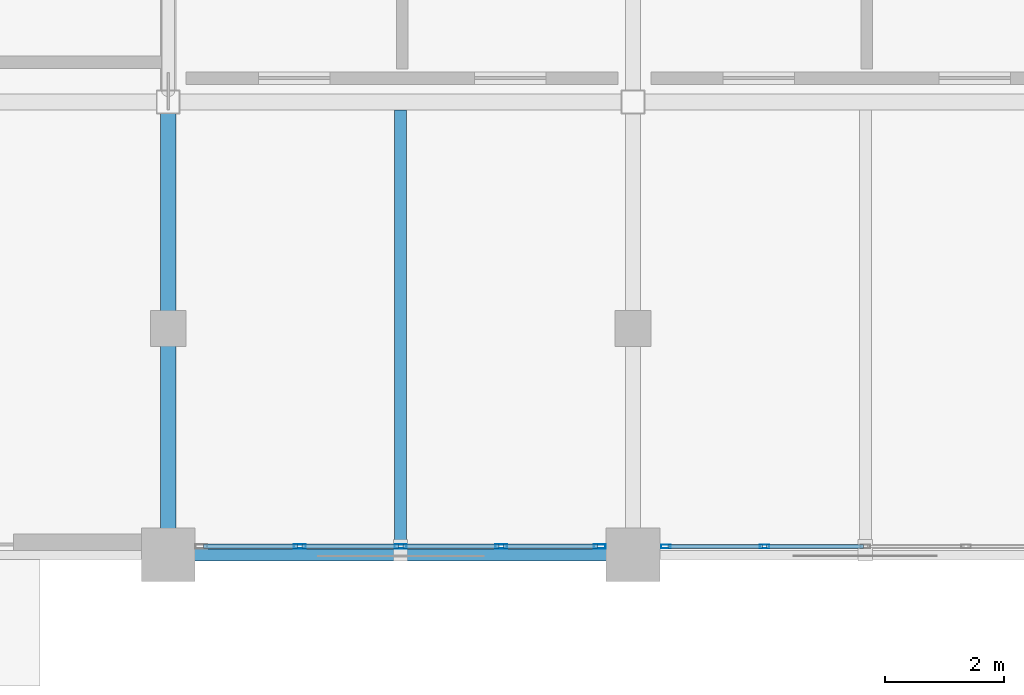
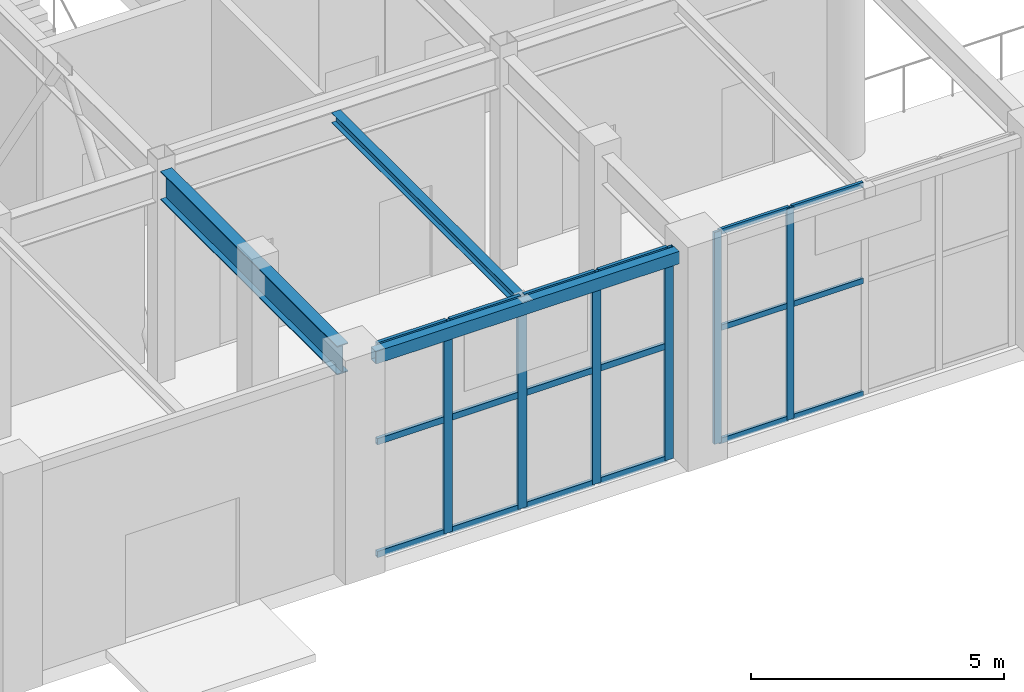
# One storey, part 94 of 139: 24 members, 3 beams, 2 elements without a shape of their own.
"""IFC4 building model written with IfcOpenShell, lengths in metres."""

from ifc_helpers import new_model, si_unit, direction, frame, origin, origin_2d, place, context, subcontext, project, spatial, hollow_rectangle, i_section, extrude, material, layer, layer_set, material_profile, profile_set, type_object, element, aggregate, save


model = new_model("IFC4")

# Units and contexts
model_context = context("Model", 3, precision=1e-05, world=origin(), true_north=direction((0.0, 1.0)))
body_context = subcontext(model_context, "Body", "Model", "MODEL_VIEW")
ifc_project = project(units=[si_unit("LENGTHUNIT", "METRE"), si_unit("AREAUNIT", "SQUARE_METRE"), si_unit("VOLUMEUNIT", "CUBIC_METRE"), si_unit("PLANEANGLEUNIT", "RADIAN"), si_unit("MASSUNIT", "GRAM", prefix="KILO")], contexts=[model_context])

# Site, building, storey
site_placement = place(None, origin())
site = spatial("IfcSite", under=ifc_project, at=site_placement, CompositionType="ELEMENT")
building_placement = place(site_placement, origin())
building = spatial("IfcBuilding", under=site, at=building_placement, Name="Xicomal Pleat Aquarium", CompositionType="ELEMENT")
storey_placement = place(building_placement, origin())
storey = spatial("IfcBuildingStorey", under=building, at=storey_placement, Name="L01", CompositionType="ELEMENT", Elevation=0.0)

# Beams
ifc_material_1 = material(Name="Structural steel A992 Gr 50", Category="steel")
ifc_material_profile_1 = material_profile(ifc_material_1, i_section(OverallWidth=0.201904296875, OverallDepth=0.2470703125, WebThickness=0.00732421875, FlangeThickness=0.010986328125, at=origin_2d()), Name="IR 250x49")
ifc_profile_set_1 = profile_set([ifc_material_profile_1], Name="Structural steel A992 Gr 50")
beam_type_1 = type_object("IfcBeamType", Name="BM-STL-IR250", PredefinedType="JOIST", material=ifc_profile_set_1)
beam_1_placement = place(storey_placement, frame((145.5, 76.10302734375, 4.9765625), z_axis=(0.0, 1.0, 0.0), x_axis=(-1.0, 0.0, 0.0)))
element("IfcBeam", 1, at=beam_1_placement, inside=storey, type_object=beam_type_1, Name="L01 framing beam FBJ-L01-18-L-1", PredefinedType="JOIST", context=body_context, shape_type="SweptSolid", body=[
    extrude(i_section(OverallWidth=0.201904296875, OverallDepth=0.2470703125, WebThickness=0.00732421875, FlangeThickness=0.010986328125, at=origin_2d()), origin(), (0.0, 0.0, 1.0), 7.35986328125),
])
ifc_material_2 = material(Name="Structural steel A992 Gr 50", Category="steel")
ifc_material_profile_2 = material_profile(ifc_material_2, i_section(OverallWidth=0.256103515625, OverallDepth=0.693115234375, WebThickness=0.014404296875, FlangeThickness=0.023681640625, at=origin_2d()), Name="IR 690x170")
ifc_profile_set_2 = profile_set([ifc_material_profile_2], Name="Structural steel A992 Gr 50")
beam_type_2 = type_object("IfcBeamType", Name="BM-STL-IR690", PredefinedType="BEAM", material=ifc_profile_set_2)
beam_2_placement = place(storey_placement, frame((141.60009765625, 76.445068359375, 4.75341796875), z_axis=(0.0, 1.0, 0.0), x_axis=(-1.0, 0.0, 0.0)))
element("IfcBeam", 2, at=beam_2_placement, inside=storey, type_object=beam_type_2, Name="L01 framing beam FGY-L01-18-L-M", PredefinedType="BEAM", context=body_context, shape_type="SweptSolid", body=[
    extrude(i_section(OverallWidth=0.256103515625, OverallDepth=0.693115234375, WebThickness=0.014404296875, FlangeThickness=0.023681640625, at=origin_2d()), origin(), (0.0, 0.0, 1.0), 6.9599609375),
])
ifc_material_3 = material(Name="Structural steel A500 Gr C", Category="steel")
ifc_material_profile_3 = material_profile(ifc_material_3, hollow_rectangle(XDim=0.199951171875, YDim=0.300048828125, WallThickness=0.011962890625, at=origin_2d()), Name="OR 300x200x12")
ifc_profile_set_3 = profile_set([ifc_material_profile_3], Name="Structural steel A500 Gr C")
beam_type_3 = type_object("IfcBeamType", Name="BM-STL-OR300", PredefinedType="SPANDREL", material=ifc_profile_set_3)
beam_3_placement = place(storey_placement, frame((142.044921875, 76.0, 4.949951171875), z_axis=(1.0, 0.0, 0.0), x_axis=(0.0, 1.0, 0.0)))
element("IfcBeam", 3, at=beam_3_placement, inside=storey, type_object=beam_type_3, Name="L01 framing beam FGX-L01-18-19-L", PredefinedType="SPANDREL", context=body_context, shape_type="SweptSolid", body=[
    extrude(hollow_rectangle(XDim=0.199951171875, YDim=0.300048828125, WallThickness=0.011962890625, at=origin_2d()), origin(), (0.0, 0.0, 1.0), 6.91015625),
])

# Curtain wall, members
ifc_material_4 = material(Name="Bronze anodized aluminium 6063-T6", Category="aluminium")
ifc_layer_1 = layer(ifc_material_4, 0.159912109375)
ifc_layer_set_1 = layer_set([ifc_layer_1], Name="Bronze anodized aluminium 6063-T6")
curtain_wall_type_1 = type_object("IfcCurtainWallType", Name="CW-SYS-01", PredefinedType="NOTDEFINED", material=ifc_layer_set_1)
curtain_wall_1_placement = place(storey_placement, origin())
curtain_wall_1 = element("IfcCurtainWall", 4, at=curtain_wall_1_placement, inside=storey, type_object=curtain_wall_type_1, Name="L01 unitised curtain wall CW-L01-066", PredefinedType="NOTDEFINED")
ifc_material_5 = material(Name="Bronze anodized aluminium 6063-T6", Category="aluminium")
ifc_material_profile_4 = material_profile(ifc_material_5, hollow_rectangle(XDim=0.06494140625, YDim=0.159912109375, WallThickness=0.00390625, at=origin_2d()), Name="ALU MULL 65x160")
ifc_profile_set_4 = profile_set([ifc_material_profile_4], Name="Bronze anodized aluminium 6063-T6")
member_type_1 = type_object("IfcMemberType", Name="CWM-65x160", PredefinedType="MULLION", material=ifc_profile_set_4)
member_1_placement = place(storey_placement, frame((151.610107421875, 76.139892578125, 0.0), z_axis=(0.0, 0.0, 1.0), x_axis=(0.0, -1.0, 0.0)))
member_1 = element("IfcMember", 5, at=member_1_placement, type_object=member_type_1, Name="CW-01 mullion 4", PredefinedType="MULLION", context=body_context, shape_type="SweptSolid", body=[
    extrude(hollow_rectangle(XDim=0.06494140625, YDim=0.159912109375, WallThickness=0.00390625, at=origin_2d()), origin(), (0.0, 0.0, 1.0), 5.10009765625),
])
member_2_placement = place(storey_placement, frame((149.952392578125, 76.139892578125, 0.0), z_axis=(0.0, 0.0, 1.0), x_axis=(0.0, -1.0, 0.0)))
member_2 = element("IfcMember", 6, at=member_2_placement, type_object=member_type_1, Name="CW-01 mullion 5", PredefinedType="MULLION", context=body_context, shape_type="SweptSolid", body=[
    extrude(hollow_rectangle(XDim=0.06494140625, YDim=0.159912109375, WallThickness=0.00390625, at=origin_2d()), origin(), (0.0, 0.0, 1.0), 5.10009765625),
])

ifc_material_6 = material(Name="Bronze anodized aluminium 6063-T6", Category="aluminium")
ifc_layer_2 = layer(ifc_material_6, 0.159912109375)
ifc_layer_set_2 = layer_set([ifc_layer_2], Name="Bronze anodized aluminium 6063-T6")
curtain_wall_type_2 = type_object("IfcCurtainWallType", Name="CW-SYS-06", PredefinedType="NOTDEFINED", material=ifc_layer_set_2)
curtain_wall_2_placement = place(storey_placement, origin())
curtain_wall_2 = element("IfcCurtainWall", 7, at=curtain_wall_2_placement, inside=storey, type_object=curtain_wall_type_2, Name="L01 unitised curtain wall CW-L01-067", PredefinedType="NOTDEFINED")
ifc_material_7 = material(Name="Bronze anodized aluminium 6063-T6", Category="aluminium")
ifc_material_profile_5 = material_profile(ifc_material_7, hollow_rectangle(XDim=0.074951171875, YDim=0.199951171875, WallThickness=0.00439453125, at=origin_2d()), Name="ALU MULL 75x200")
ifc_profile_set_5 = profile_set([ifc_material_profile_5], Name="Bronze anodized aluminium 6063-T6")
member_type_2 = type_object("IfcMemberType", Name="CWM-75x200", PredefinedType="MULLION", material=ifc_profile_set_5)
member_3_placement = place(storey_placement, frame((148.842529296875, 76.139892578125, 0.0), z_axis=(0.0, 0.0, 1.0), x_axis=(0.0, -1.0, 0.0)))
member_3 = element("IfcMember", 8, at=member_3_placement, type_object=member_type_2, Name="CW-06 mullion 1", PredefinedType="MULLION", context=body_context, shape_type="SweptSolid", body=[
    extrude(hollow_rectangle(XDim=0.074951171875, YDim=0.199951171875, WallThickness=0.00439453125, at=origin_2d()), origin(), (0.0, 0.0, 1.0), 5.10009765625),
])
member_4_placement = place(storey_placement, frame((147.18994140625, 76.139892578125, 0.0), z_axis=(0.0, 0.0, 1.0), x_axis=(0.0, -1.0, 0.0)))
member_4 = element("IfcMember", 9, at=member_4_placement, type_object=member_type_2, Name="CW-06 mullion 2", PredefinedType="MULLION", context=body_context, shape_type="SweptSolid", body=[
    extrude(hollow_rectangle(XDim=0.074951171875, YDim=0.199951171875, WallThickness=0.00439453125, at=origin_2d()), origin(), (0.0, 0.0, 1.0), 5.10009765625),
])
member_5_placement = place(storey_placement, frame((145.5, 76.139892578125, 0.0), z_axis=(0.0, 0.0, 1.0), x_axis=(0.0, -1.0, 0.0)))
member_5 = element("IfcMember", 10, at=member_5_placement, type_object=member_type_2, Name="CW-06 mullion 3", PredefinedType="MULLION", context=body_context, shape_type="SweptSolid", body=[
    extrude(hollow_rectangle(XDim=0.074951171875, YDim=0.199951171875, WallThickness=0.00439453125, at=origin_2d()), origin(), (0.0, 0.0, 1.0), 5.10009765625),
])
member_6_placement = place(storey_placement, frame((143.81005859375, 76.139892578125, 0.0), z_axis=(0.0, 0.0, 1.0), x_axis=(0.0, -1.0, 0.0)))
member_6 = element("IfcMember", 11, at=member_6_placement, type_object=member_type_2, Name="CW-06 mullion 4", PredefinedType="MULLION", context=body_context, shape_type="SweptSolid", body=[
    extrude(hollow_rectangle(XDim=0.074951171875, YDim=0.199951171875, WallThickness=0.00439453125, at=origin_2d()), origin(), (0.0, 0.0, 1.0), 5.10009765625),
])

# Member
ifc_material_8 = material(Name="Bronze anodized aluminium 6063-T6", Category="aluminium")
ifc_material_profile_6 = material_profile(ifc_material_8, hollow_rectangle(XDim=0.06494140625, YDim=0.1298828125, WallThickness=0.00390625, at=origin_2d()), Name="ALU TRAN 65x130")
ifc_profile_set_6 = profile_set([ifc_material_profile_6], Name="Bronze anodized aluminium 6063-T6")
member_type_3 = type_object("IfcMemberType", Name="CWT-65x130", PredefinedType="USERDEFINED", material=ifc_profile_set_6)
member_7_placement = place(storey_placement, frame((153.267578125, 76.139892578125, 0.032470703125), z_axis=(-1.0, 0.0, 0.0), x_axis=(0.0, -1.0, 0.0)))
member_7 = element("IfcMember", 12, at=member_7_placement, type_object=member_type_3, Name="CW-01 transom 3.1", ObjectType="TRANSOM", PredefinedType="USERDEFINED", context=body_context, shape_type="SweptSolid", body=[
    extrude(hollow_rectangle(XDim=0.06494140625, YDim=0.1298828125, WallThickness=0.00390625, at=origin_2d()), origin(), (0.0, 0.0, 1.0), 1.625),
])

member_8_placement = place(storey_placement, frame((153.267578125, 76.139892578125, 2.75390625), z_axis=(-1.0, 0.0, 0.0), x_axis=(0.0, -1.0, 0.0)))
member_8 = element("IfcMember", 13, at=member_8_placement, type_object=member_type_3, Name="CW-01 transom 3.2", ObjectType="TRANSOM", PredefinedType="USERDEFINED", context=body_context, shape_type="SweptSolid", body=[
    extrude(hollow_rectangle(XDim=0.06494140625, YDim=0.1298828125, WallThickness=0.00390625, at=origin_2d()), origin(), (0.0, 0.0, 1.0), 1.625),
])

member_9_placement = place(storey_placement, frame((153.267578125, 76.139892578125, 5.0673828125), z_axis=(-1.0, 0.0, 0.0), x_axis=(0.0, -1.0, 0.0)))
member_9 = element("IfcMember", 14, at=member_9_placement, type_object=member_type_3, Name="CW-01 transom 3.3", ObjectType="TRANSOM", PredefinedType="USERDEFINED", context=body_context, shape_type="SweptSolid", body=[
    extrude(hollow_rectangle(XDim=0.06494140625, YDim=0.1298828125, WallThickness=0.00390625, at=origin_2d()), origin(), (0.0, 0.0, 1.0), 1.625),
])

member_10_placement = place(storey_placement, frame((151.577392578125, 76.139892578125, 0.032470703125), z_axis=(-1.0, 0.0, 0.0), x_axis=(0.0, -1.0, 0.0)))
member_10 = element("IfcMember", 15, at=member_10_placement, type_object=member_type_3, Name="CW-01 transom 4.1", ObjectType="TRANSOM", PredefinedType="USERDEFINED", context=body_context, shape_type="SweptSolid", body=[
    extrude(hollow_rectangle(XDim=0.06494140625, YDim=0.1298828125, WallThickness=0.00390625, at=origin_2d()), origin(), (0.0, 0.0, 1.0), 1.59228515625),
])

member_11_placement = place(storey_placement, frame((151.577392578125, 76.139892578125, 2.75390625), z_axis=(-1.0, 0.0, 0.0), x_axis=(0.0, -1.0, 0.0)))
member_11 = element("IfcMember", 16, at=member_11_placement, type_object=member_type_3, Name="CW-01 transom 4.2", ObjectType="TRANSOM", PredefinedType="USERDEFINED", context=body_context, shape_type="SweptSolid", body=[
    extrude(hollow_rectangle(XDim=0.06494140625, YDim=0.1298828125, WallThickness=0.00390625, at=origin_2d()), origin(), (0.0, 0.0, 1.0), 1.59228515625),
])

member_12_placement = place(storey_placement, frame((151.577392578125, 76.139892578125, 5.0673828125), z_axis=(-1.0, 0.0, 0.0), x_axis=(0.0, -1.0, 0.0)))
member_12 = element("IfcMember", 17, at=member_12_placement, type_object=member_type_3, Name="CW-01 transom 4.3", ObjectType="TRANSOM", PredefinedType="USERDEFINED", context=body_context, shape_type="SweptSolid", body=[
    extrude(hollow_rectangle(XDim=0.06494140625, YDim=0.1298828125, WallThickness=0.00390625, at=origin_2d()), origin(), (0.0, 0.0, 1.0), 1.59228515625),
])

aggregate(curtain_wall_1, [member_1, member_2, member_7, member_8, member_9, member_10, member_11, member_12])

ifc_material_9 = material(Name="Bronze anodized aluminium 6063-T6", Category="aluminium")
ifc_material_profile_7 = material_profile(ifc_material_9, hollow_rectangle(XDim=0.074951171875, YDim=0.14990234375, WallThickness=0.00439453125, at=origin_2d()), Name="ALU TRAN 75x150")
ifc_profile_set_7 = profile_set([ifc_material_profile_7], Name="Bronze anodized aluminium 6063-T6")
member_type_4 = type_object("IfcMemberType", Name="CWT-75x150", PredefinedType="USERDEFINED", material=ifc_profile_set_7)
member_13_placement = place(storey_placement, frame((148.804931640625, 76.139892578125, 0.03759765625), z_axis=(-1.0, 0.0, 0.0), x_axis=(0.0, -1.0, 0.0)))
member_13 = element("IfcMember", 18, at=member_13_placement, type_object=member_type_4, Name="CW-06 transom 1.1", ObjectType="TRANSOM", PredefinedType="USERDEFINED", context=body_context, shape_type="SweptSolid", body=[
    extrude(hollow_rectangle(XDim=0.074951171875, YDim=0.14990234375, WallThickness=0.00439453125, at=origin_2d()), origin(), (0.0, 0.0, 1.0), 1.577392578125),
])

member_14_placement = place(storey_placement, frame((148.804931640625, 76.139892578125, 2.75390625), z_axis=(-1.0, 0.0, 0.0), x_axis=(0.0, -1.0, 0.0)))
member_14 = element("IfcMember", 19, at=member_14_placement, type_object=member_type_4, Name="CW-06 transom 1.2", ObjectType="TRANSOM", PredefinedType="USERDEFINED", context=body_context, shape_type="SweptSolid", body=[
    extrude(hollow_rectangle(XDim=0.074951171875, YDim=0.14990234375, WallThickness=0.00439453125, at=origin_2d()), origin(), (0.0, 0.0, 1.0), 1.577392578125),
])

member_15_placement = place(storey_placement, frame((148.804931640625, 76.139892578125, 5.0625), z_axis=(-1.0, 0.0, 0.0), x_axis=(0.0, -1.0, 0.0)))
member_15 = element("IfcMember", 20, at=member_15_placement, type_object=member_type_4, Name="CW-06 transom 1.3", ObjectType="TRANSOM", PredefinedType="USERDEFINED", context=body_context, shape_type="SweptSolid", body=[
    extrude(hollow_rectangle(XDim=0.074951171875, YDim=0.14990234375, WallThickness=0.00439453125, at=origin_2d()), origin(), (0.0, 0.0, 1.0), 1.577392578125),
])

member_16_placement = place(storey_placement, frame((147.152587890625, 76.139892578125, 0.03759765625), z_axis=(-1.0, 0.0, 0.0), x_axis=(0.0, -1.0, 0.0)))
member_16 = element("IfcMember", 21, at=member_16_placement, type_object=member_type_4, Name="CW-06 transom 2.1", ObjectType="TRANSOM", PredefinedType="USERDEFINED", context=body_context, shape_type="SweptSolid", body=[
    extrude(hollow_rectangle(XDim=0.074951171875, YDim=0.14990234375, WallThickness=0.00439453125, at=origin_2d()), origin(), (0.0, 0.0, 1.0), 1.614990234375),
])

member_17_placement = place(storey_placement, frame((147.152587890625, 76.139892578125, 2.75390625), z_axis=(-1.0, 0.0, 0.0), x_axis=(0.0, -1.0, 0.0)))
member_17 = element("IfcMember", 22, at=member_17_placement, type_object=member_type_4, Name="CW-06 transom 2.2", ObjectType="TRANSOM", PredefinedType="USERDEFINED", context=body_context, shape_type="SweptSolid", body=[
    extrude(hollow_rectangle(XDim=0.074951171875, YDim=0.14990234375, WallThickness=0.00439453125, at=origin_2d()), origin(), (0.0, 0.0, 1.0), 1.614990234375),
])

member_18_placement = place(storey_placement, frame((147.152587890625, 76.139892578125, 5.0625), z_axis=(-1.0, 0.0, 0.0), x_axis=(0.0, -1.0, 0.0)))
member_18 = element("IfcMember", 23, at=member_18_placement, type_object=member_type_4, Name="CW-06 transom 2.3", ObjectType="TRANSOM", PredefinedType="USERDEFINED", context=body_context, shape_type="SweptSolid", body=[
    extrude(hollow_rectangle(XDim=0.074951171875, YDim=0.14990234375, WallThickness=0.00439453125, at=origin_2d()), origin(), (0.0, 0.0, 1.0), 1.614990234375),
])

member_19_placement = place(storey_placement, frame((145.46240234375, 76.139892578125, 0.03759765625), z_axis=(-1.0, 0.0, 0.0), x_axis=(0.0, -1.0, 0.0)))
member_19 = element("IfcMember", 24, at=member_19_placement, type_object=member_type_4, Name="CW-06 transom 3.1", ObjectType="TRANSOM", PredefinedType="USERDEFINED", context=body_context, shape_type="SweptSolid", body=[
    extrude(hollow_rectangle(XDim=0.074951171875, YDim=0.14990234375, WallThickness=0.00439453125, at=origin_2d()), origin(), (0.0, 0.0, 1.0), 1.614990234375),
])

member_20_placement = place(storey_placement, frame((145.46240234375, 76.139892578125, 2.75390625), z_axis=(-1.0, 0.0, 0.0), x_axis=(0.0, -1.0, 0.0)))
member_20 = element("IfcMember", 25, at=member_20_placement, type_object=member_type_4, Name="CW-06 transom 3.2", ObjectType="TRANSOM", PredefinedType="USERDEFINED", context=body_context, shape_type="SweptSolid", body=[
    extrude(hollow_rectangle(XDim=0.074951171875, YDim=0.14990234375, WallThickness=0.00439453125, at=origin_2d()), origin(), (0.0, 0.0, 1.0), 1.614990234375),
])

member_21_placement = place(storey_placement, frame((145.46240234375, 76.139892578125, 5.0625), z_axis=(-1.0, 0.0, 0.0), x_axis=(0.0, -1.0, 0.0)))
member_21 = element("IfcMember", 26, at=member_21_placement, type_object=member_type_4, Name="CW-06 transom 3.3", ObjectType="TRANSOM", PredefinedType="USERDEFINED", context=body_context, shape_type="SweptSolid", body=[
    extrude(hollow_rectangle(XDim=0.074951171875, YDim=0.14990234375, WallThickness=0.00439453125, at=origin_2d()), origin(), (0.0, 0.0, 1.0), 1.614990234375),
])

member_22_placement = place(storey_placement, frame((143.7724609375, 76.139892578125, 0.03759765625), z_axis=(-1.0, 0.0, 0.0), x_axis=(0.0, -1.0, 0.0)))
member_22 = element("IfcMember", 27, at=member_22_placement, type_object=member_type_4, Name="CW-06 transom 4.1", ObjectType="TRANSOM", PredefinedType="USERDEFINED", context=body_context, shape_type="SweptSolid", body=[
    extrude(hollow_rectangle(XDim=0.074951171875, YDim=0.14990234375, WallThickness=0.00439453125, at=origin_2d()), origin(), (0.0, 0.0, 1.0), 1.577392578125),
])

member_23_placement = place(storey_placement, frame((143.7724609375, 76.139892578125, 2.75390625), z_axis=(-1.0, 0.0, 0.0), x_axis=(0.0, -1.0, 0.0)))
member_23 = element("IfcMember", 28, at=member_23_placement, type_object=member_type_4, Name="CW-06 transom 4.2", ObjectType="TRANSOM", PredefinedType="USERDEFINED", context=body_context, shape_type="SweptSolid", body=[
    extrude(hollow_rectangle(XDim=0.074951171875, YDim=0.14990234375, WallThickness=0.00439453125, at=origin_2d()), origin(), (0.0, 0.0, 1.0), 1.577392578125),
])

member_24_placement = place(storey_placement, frame((143.7724609375, 76.139892578125, 5.0625), z_axis=(-1.0, 0.0, 0.0), x_axis=(0.0, -1.0, 0.0)))
member_24 = element("IfcMember", 29, at=member_24_placement, type_object=member_type_4, Name="CW-06 transom 4.3", ObjectType="TRANSOM", PredefinedType="USERDEFINED", context=body_context, shape_type="SweptSolid", body=[
    extrude(hollow_rectangle(XDim=0.074951171875, YDim=0.14990234375, WallThickness=0.00439453125, at=origin_2d()), origin(), (0.0, 0.0, 1.0), 1.577392578125),
])

aggregate(curtain_wall_2, [member_3, member_4, member_5, member_6, member_13, member_14, member_15, member_16, member_17, member_18, member_19, member_20, member_21, member_22, member_23, member_24])

save(model, "model.ifc")
